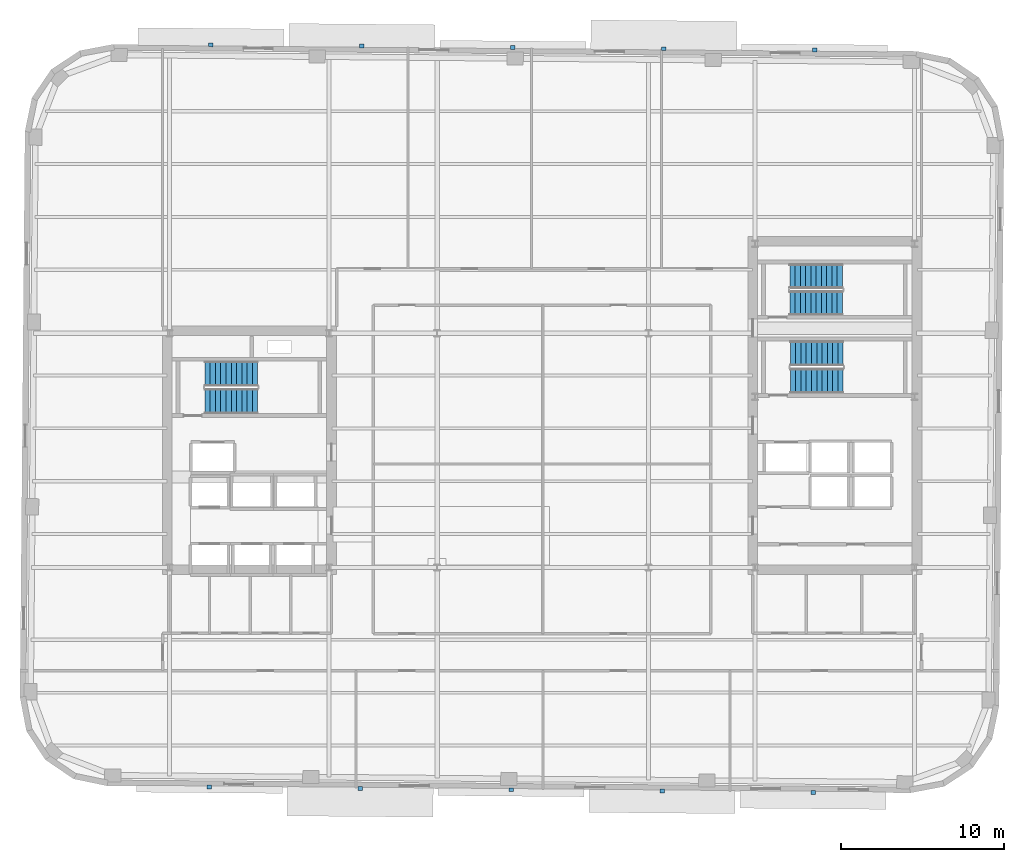
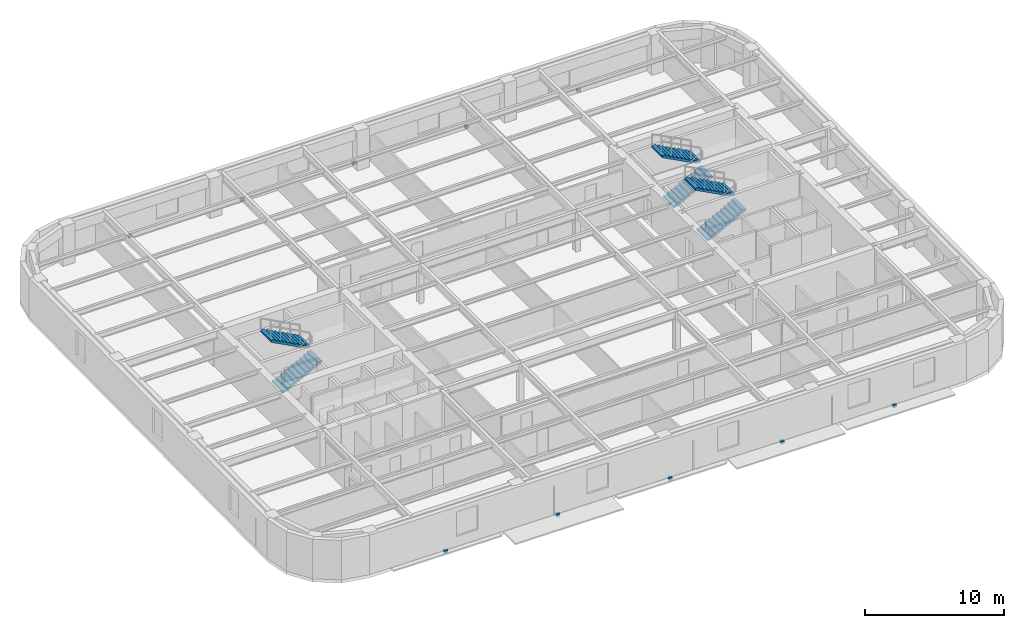
# One storey, part 7 of 11: 10 discrete accessories, 6 stair flights, 3 elements without a shape of their own.
"""IFC4 building model written with IfcOpenShell, lengths in metres."""

from ifc_helpers import new_model, si_unit, direction, frame, origin, origin_2d, place, context, subcontext, project, spatial, polyline, rectangle, outline, extrude, material, type_object, element, aggregate, save


model = new_model("IFC4")

# Units and contexts
model_context = context("Model", 3, precision=1e-05, world=origin(), true_north=direction((0.0, 1.0)))
body_context = subcontext(model_context, "Body", "Model", "MODEL_VIEW")
ifc_project = project(units=[si_unit("LENGTHUNIT", "METRE"), si_unit("AREAUNIT", "SQUARE_METRE"), si_unit("VOLUMEUNIT", "CUBIC_METRE"), si_unit("PLANEANGLEUNIT", "RADIAN"), si_unit("MASSUNIT", "GRAM", prefix="KILO")], contexts=[model_context])

# Site, building, storey
site_placement = place(None, origin())
site = spatial("IfcSite", under=ifc_project, at=site_placement, CompositionType="ELEMENT")
building_placement = place(site_placement, origin())
building = spatial("IfcBuilding", under=site, at=building_placement, Name="Kolvaren Arena Tower", CompositionType="ELEMENT")
storey_placement = place(building_placement, frame((0.0, 0.0, 203.449951171875)))
storey = spatial("IfcBuildingStorey", under=building, at=storey_placement, Name="L49", CompositionType="ELEMENT", Elevation=203.449951171875)

# Stair, stair flights
ifc_material_1 = material(Name="Concrete 45 MPa", Category="concrete")
stair_type_1 = type_object("IfcStairType", Name="STAIR-CORE-150", PredefinedType="HALF_TURN_STAIR", material=ifc_material_1)
stair_1_placement = place(storey_placement, origin())
stair_1 = element("IfcStair", 1, at=stair_1_placement, inside=storey, type_object=stair_type_1, Name="L49 ST-E2", PredefinedType="HALF_TURN_STAIR")
stair_flight_type_1 = type_object("IfcStairFlightType", Name="FLT-150", PredefinedType="STRAIGHT", material=ifc_material_1)
stair_flight_1_placement = place(storey_placement, frame((52.679931640625, 35.699951171875, 0.0), z_axis=(0.0, 0.0, 1.0), x_axis=(1.0, 0.0, 0.0)))
stair_flight_1 = element("IfcStairFlight", 2, at=stair_flight_1_placement, type_object=stair_flight_type_1, Name="ST-E2 flight 1", NumberOfRisers=11, NumberOfTreads=10, PredefinedType="STRAIGHT", RiserHeight=0.170454545, TreadLength=0.324, context=body_context, shape_type="SweptSolid", body=[
    extrude(outline(polyline([(0.0, 0.0), (0.0, 0.17041015625), (0.323974609375, 0.17041015625), (0.323974609375, 0.3408203125), (0.64794921875, 0.3408203125), (0.64794921875, 0.511474609375), (0.971923828125, 0.511474609375), (0.971923828125, 0.681884765625), (1.2958984375, 0.681884765625), (1.2958984375, 0.852294921875), (1.6201171875, 0.852294921875), (1.6201171875, 1.022705078125), (1.944091796875, 1.022705078125), (1.944091796875, 1.193115234375), (2.26806640625, 1.193115234375), (2.26806640625, 1.363525390625), (2.592041015625, 1.363525390625), (2.592041015625, 1.5341796875), (2.916015625, 1.5341796875), (2.916015625, 1.70458984375), (3.239990234375, 1.70458984375), (3.239990234375, 1.875), (3.239990234375, 1.53515625), (0.322021484375, 0.0), (0.0, 0.0)])), frame((0.0, 0.75, 0.0), z_axis=(0.0, -1.0, 0.0), x_axis=(1.0, 0.0, 0.0)), (0.0, 0.0, 1.0), 1.5),
])
stair_flight_2_placement = place(storey_placement, frame((55.919921875, 37.35009765625, 1.875), z_axis=(0.0, 0.0, 1.0), x_axis=(-1.0, 0.0, 0.0)))
stair_flight_2 = element("IfcStairFlight", 3, at=stair_flight_2_placement, type_object=stair_flight_type_1, Name="ST-E2 flight 2", NumberOfRisers=11, NumberOfTreads=10, PredefinedType="STRAIGHT", RiserHeight=0.170454545, TreadLength=0.324, context=body_context, shape_type="SweptSolid", body=[
    extrude(outline(polyline([(0.0, 0.0), (0.0, 0.17041015625), (0.323974609375, 0.17041015625), (0.323974609375, 0.3408203125), (0.64794921875, 0.3408203125), (0.64794921875, 0.511474609375), (0.971923828125, 0.511474609375), (0.971923828125, 0.681884765625), (1.2958984375, 0.681884765625), (1.2958984375, 0.852294921875), (1.6201171875, 0.852294921875), (1.6201171875, 1.022705078125), (1.944091796875, 1.022705078125), (1.944091796875, 1.193115234375), (2.26806640625, 1.193115234375), (2.26806640625, 1.363525390625), (2.592041015625, 1.363525390625), (2.592041015625, 1.5341796875), (2.916015625, 1.5341796875), (2.916015625, 1.70458984375), (3.239990234375, 1.70458984375), (3.239990234375, 1.875), (3.239990234375, 1.53515625), (0.322021484375, 0.0), (0.0, 0.0)])), frame((0.0, 0.75, 0.0), z_axis=(0.0, -1.0, 0.0), x_axis=(1.0, 0.0, 0.0)), (0.0, 0.0, 1.0), 1.5),
])
aggregate(stair_1, [stair_flight_1, stair_flight_2])

stair_type_2 = type_object("IfcStairType", Name="STAIR-CORE-165", PredefinedType="HALF_TURN_STAIR", material=ifc_material_1)
stair_2_placement = place(storey_placement, origin())
stair_2 = element("IfcStair", 4, at=stair_2_placement, inside=storey, type_object=stair_type_2, Name="L49 ST-W1", PredefinedType="HALF_TURN_STAIR")
stair_flight_type_2 = type_object("IfcStairFlightType", Name="FLT-165", PredefinedType="STRAIGHT", material=ifc_material_1)
stair_flight_3_placement = place(storey_placement, frame((16.719970703125, 29.669921875, 0.0), z_axis=(0.0, 0.0, 1.0), x_axis=(1.0, 0.0, 0.0)))
stair_flight_3 = element("IfcStairFlight", 5, at=stair_flight_3_placement, type_object=stair_flight_type_2, Name="ST-W1 flight 1", NumberOfRisers=11, NumberOfTreads=10, PredefinedType="STRAIGHT", RiserHeight=0.170454545, TreadLength=0.324, context=body_context, shape_type="SweptSolid", body=[
    extrude(outline(polyline([(0.0, 0.0), (0.0, 0.17041015625), (0.323974609375, 0.17041015625), (0.323974609375, 0.3408203125), (0.64794921875, 0.3408203125), (0.64794921875, 0.511474609375), (0.971923828125, 0.511474609375), (0.971923828125, 0.681884765625), (1.2958984375, 0.681884765625), (1.2958984375, 0.852294921875), (1.6201171875, 0.852294921875), (1.6201171875, 1.022705078125), (1.944091796875, 1.022705078125), (1.944091796875, 1.193115234375), (2.26806640625, 1.193115234375), (2.26806640625, 1.363525390625), (2.592041015625, 1.363525390625), (2.592041015625, 1.5341796875), (2.916015625, 1.5341796875), (2.916015625, 1.70458984375), (3.239990234375, 1.70458984375), (3.239990234375, 1.875), (3.239990234375, 1.53515625), (0.322021484375, 0.0), (0.0, 0.0)])), frame((0.0, 0.77001953125, 0.0), z_axis=(0.0, -1.0, 0.0), x_axis=(1.0, 0.0, 0.0)), (0.0, 0.0, 1.0), 1.5400390625),
])
stair_flight_4_placement = place(storey_placement, frame((19.9599609375, 31.360107421875, 1.875), z_axis=(0.0, 0.0, 1.0), x_axis=(-1.0, 0.0, 0.0)))
stair_flight_4 = element("IfcStairFlight", 6, at=stair_flight_4_placement, type_object=stair_flight_type_2, Name="ST-W1 flight 2", NumberOfRisers=11, NumberOfTreads=10, PredefinedType="STRAIGHT", RiserHeight=0.170454545, TreadLength=0.324, context=body_context, shape_type="SweptSolid", body=[
    extrude(outline(polyline([(0.0, 0.0), (0.0, 0.17041015625), (0.323974609375, 0.17041015625), (0.323974609375, 0.3408203125), (0.64794921875, 0.3408203125), (0.64794921875, 0.511474609375), (0.971923828125, 0.511474609375), (0.971923828125, 0.681884765625), (1.2958984375, 0.681884765625), (1.2958984375, 0.852294921875), (1.6201171875, 0.852294921875), (1.6201171875, 1.022705078125), (1.944091796875, 1.022705078125), (1.944091796875, 1.193115234375), (2.26806640625, 1.193115234375), (2.26806640625, 1.363525390625), (2.592041015625, 1.363525390625), (2.592041015625, 1.5341796875), (2.916015625, 1.5341796875), (2.916015625, 1.70458984375), (3.239990234375, 1.70458984375), (3.239990234375, 1.875), (3.239990234375, 1.53515625), (0.322021484375, 0.0), (0.0, 0.0)])), frame((0.0, 0.77001953125, 0.0), z_axis=(0.0, -1.0, 0.0), x_axis=(1.0, 0.0, 0.0)), (0.0, 0.0, 1.0), 1.5400390625),
])
aggregate(stair_2, [stair_flight_3, stair_flight_4])

stair_3_placement = place(storey_placement, origin())
stair_3 = element("IfcStair", 7, at=stair_3_placement, inside=storey, type_object=stair_type_2, Name="L49 ST-E1", PredefinedType="HALF_TURN_STAIR")
stair_flight_5_placement = place(storey_placement, frame((52.719970703125, 30.919921875, 0.0), z_axis=(0.0, 0.0, 1.0), x_axis=(1.0, 0.0, 0.0)))
stair_flight_5 = element("IfcStairFlight", 8, at=stair_flight_5_placement, type_object=stair_flight_type_2, Name="ST-E1 flight 1", NumberOfRisers=11, NumberOfTreads=10, PredefinedType="STRAIGHT", RiserHeight=0.170454545, TreadLength=0.324, context=body_context, shape_type="SweptSolid", body=[
    extrude(outline(polyline([(0.0, 0.0), (0.0, 0.17041015625), (0.323974609375, 0.17041015625), (0.323974609375, 0.3408203125), (0.64794921875, 0.3408203125), (0.64794921875, 0.511474609375), (0.971923828125, 0.511474609375), (0.971923828125, 0.681884765625), (1.2958984375, 0.681884765625), (1.2958984375, 0.852294921875), (1.6201171875, 0.852294921875), (1.6201171875, 1.022705078125), (1.944091796875, 1.022705078125), (1.944091796875, 1.193115234375), (2.26806640625, 1.193115234375), (2.26806640625, 1.363525390625), (2.592041015625, 1.363525390625), (2.592041015625, 1.5341796875), (2.916015625, 1.5341796875), (2.916015625, 1.70458984375), (3.239990234375, 1.70458984375), (3.239990234375, 1.875), (3.239990234375, 1.53515625), (0.322021484375, 0.0), (0.0, 0.0)])), frame((0.0, 0.77001953125, 0.0), z_axis=(0.0, -1.0, 0.0), x_axis=(1.0, 0.0, 0.0)), (0.0, 0.0, 1.0), 1.5400390625),
])
stair_flight_6_placement = place(storey_placement, frame((55.9599609375, 32.610107421875, 1.875), z_axis=(0.0, 0.0, 1.0), x_axis=(-1.0, 0.0, 0.0)))
stair_flight_6 = element("IfcStairFlight", 9, at=stair_flight_6_placement, type_object=stair_flight_type_2, Name="ST-E1 flight 2", NumberOfRisers=11, NumberOfTreads=10, PredefinedType="STRAIGHT", RiserHeight=0.170454545, TreadLength=0.324, context=body_context, shape_type="SweptSolid", body=[
    extrude(outline(polyline([(0.0, 0.0), (0.0, 0.17041015625), (0.323974609375, 0.17041015625), (0.323974609375, 0.3408203125), (0.64794921875, 0.3408203125), (0.64794921875, 0.511474609375), (0.971923828125, 0.511474609375), (0.971923828125, 0.681884765625), (1.2958984375, 0.681884765625), (1.2958984375, 0.852294921875), (1.6201171875, 0.852294921875), (1.6201171875, 1.022705078125), (1.944091796875, 1.022705078125), (1.944091796875, 1.193115234375), (2.26806640625, 1.193115234375), (2.26806640625, 1.363525390625), (2.592041015625, 1.363525390625), (2.592041015625, 1.5341796875), (2.916015625, 1.5341796875), (2.916015625, 1.70458984375), (3.239990234375, 1.70458984375), (3.239990234375, 1.875), (3.239990234375, 1.53515625), (0.322021484375, 0.0), (0.0, 0.0)])), frame((0.0, 0.77001953125, 0.0), z_axis=(0.0, -1.0, 0.0), x_axis=(1.0, 0.0, 0.0)), (0.0, 0.0, 1.0), 1.5400390625),
])
aggregate(stair_3, [stair_flight_5, stair_flight_6])

# Discrete accessories
ifc_material_2 = material(Name="Stainless steel facade support bracket", Category="steel")
discrete_accessory_type = type_object("IfcDiscreteAccessoryType", Name="ACC-BRKT-1", PredefinedType="BRACKET", material=ifc_material_2)
for number, where, z_axis, x_axis, name in (
    (10, (17.08984375, 51.58251953125, -0.18017578125), (0.0, 0.0, 1.0), (0.999961923064, -0.008726535498, 0.0), "Sunshade Support Bracket (L49)"),
    (11, (26.369384765625, 51.50146484375, -0.18017578125), (0.0, 0.0, 1.0), (0.999961923064, -0.008726535498, 0.0), "Sunshade Support Bracket (L49)"),
    (12, (35.649169921875, 51.42041015625, -0.18017578125), (0.0, 0.0, 1.0), (0.999961923064, -0.008726535498, 0.0), "Sunshade Support Bracket (L49)"),
    (13, (44.9287109375, 51.339599609375, -0.18017578125), (0.0, 0.0, 1.0), (0.999961923064, -0.008726535498, 0.0), "Sunshade Support Bracket (L49)"),
    (14, (54.20849609375, 51.258544921875, -0.18017578125), (0.0, 0.0, 1.0), (0.999961923064, -0.008726535498, 0.0), "Sunshade Support Bracket (L49)"),
    (15, (54.110107421875, 5.61767578125, -0.18017578125), (0.0, 0.0, 1.0), (-0.999961923064, 0.008726535498, 0.0), "Sunshade Support Bracket (L49)"),
    (16, (44.83056640625, 5.698486328125, -0.18017578125), (0.0, 0.0, 1.0), (-0.999961923064, 0.008726535498, 0.0), "Sunshade Support Bracket (L49)"),
    (17, (35.55078125, 5.779541015625, -0.18017578125), (0.0, 0.0, 1.0), (-0.999961923064, 0.008726535498, 0.0), "Sunshade Support Bracket (L49)"),
    (18, (26.271240234375, 5.860595703125, -0.18017578125), (0.0, 0.0, 1.0), (-0.999961923064, 0.008726535498, 0.0), "Sunshade Support Bracket (L49)"),
    (19, (16.99169921875, 5.94140625, -0.18017578125), (0.0, 0.0, 1.0), (-0.999961923064, 0.008726535498, 0.0), "Sunshade Support Bracket (L49)"),
):
    element("IfcDiscreteAccessory", number, at=place(storey_placement, frame(where, z_axis=z_axis, x_axis=x_axis)), inside=storey, type_object=discrete_accessory_type, Name=name, PredefinedType="BRACKET", context=body_context, shape_type="SweptSolid", body=[
        extrude(rectangle(XDim=0.280029296875, YDim=0.239990234375, at=origin_2d()), origin(), (0.0, 0.0, 1.0), 0.239990234375),
    ])

save(model, "model.ifc")
